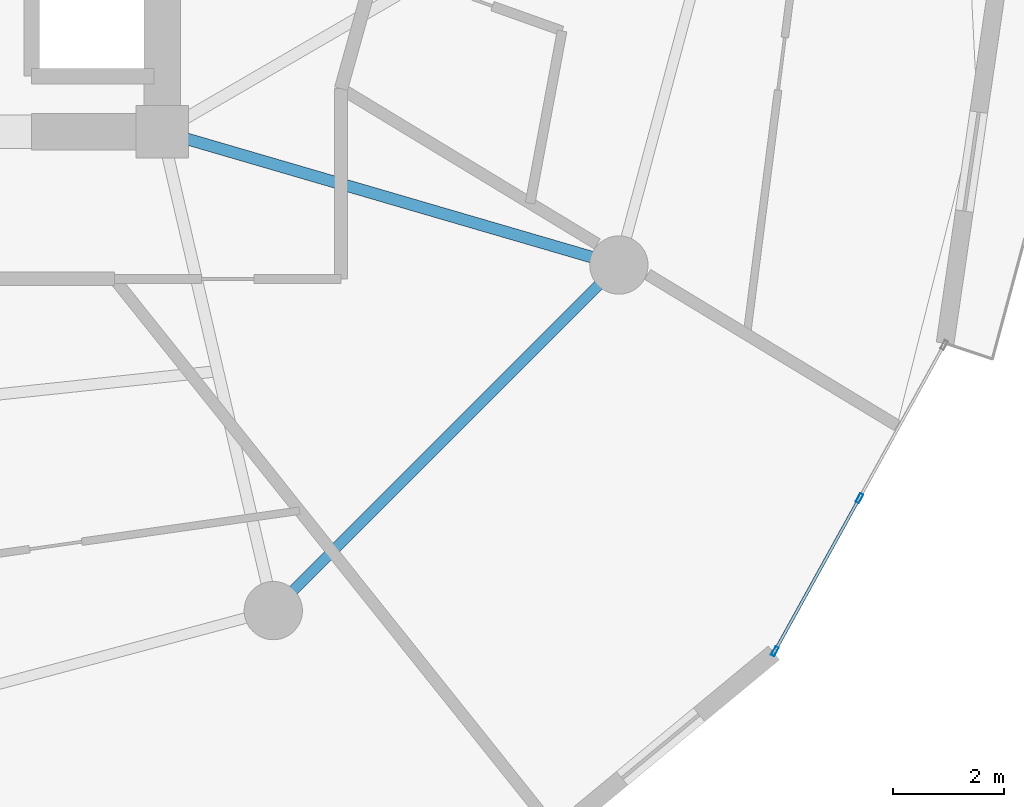
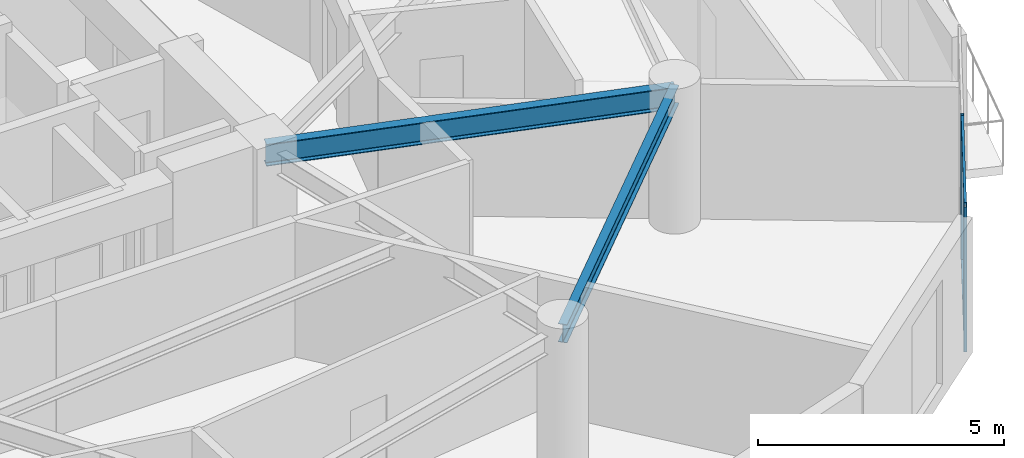
# One storey, part 6 of 21: 4 members, 2 beams, 1 element without a shape of its own.
"""IFC4 building model written with IfcOpenShell, lengths in metres."""

from ifc_helpers import new_model, si_unit, direction, frame, origin, origin_2d, place, context, subcontext, project, spatial, hollow_rectangle, i_section, extrude, source, transform, mapped, material, layer, layer_set, material_profile, profile_set, type_object, element, aggregate, save


model = new_model("IFC4")

# Units and contexts
model_context = context("Model", 3, precision=1e-05, world=origin(), true_north=direction((0.0, 1.0)))
body_context = subcontext(model_context, "Body", "Model", "MODEL_VIEW")
ifc_project = project(units=[si_unit("LENGTHUNIT", "METRE"), si_unit("AREAUNIT", "SQUARE_METRE"), si_unit("VOLUMEUNIT", "CUBIC_METRE"), si_unit("PLANEANGLEUNIT", "RADIAN"), si_unit("MASSUNIT", "GRAM", prefix="KILO")], contexts=[model_context])

# Site, building, storey
site_placement = place(None, origin())
site = spatial("IfcSite", under=ifc_project, at=site_placement, CompositionType="ELEMENT")
building_placement = place(site_placement, origin())
building = spatial("IfcBuilding", under=site, at=building_placement, Name="Solvirekh Grand Hotel", CompositionType="ELEMENT")
storey_placement = place(building_placement, frame((0.0, 0.0, 131.39990234375)))
storey = spatial("IfcBuildingStorey", under=building, at=storey_placement, Name="L33", CompositionType="ELEMENT", Elevation=131.39990234375)

# Beams
ifc_material_1 = material(Name="Steel S355", Category="steel")
ifc_material_profile_1 = material_profile(ifc_material_1, i_section(OverallWidth=0.2119140625, OverallDepth=0.5439453125, WebThickness=0.011962890625, FlangeThickness=0.01904296875, FilletRadius=0.013916015625, at=origin_2d()), Name="W530X123")
ifc_profile_set_1 = profile_set([ifc_material_profile_1], Name="Steel S355")
beam_type_1 = type_object("IfcBeamType", Name="Beam_Radial_W530H", PredefinedType="BEAM", material=ifc_profile_set_1)
beam_1_placement = place(storey_placement, frame((6.5, -6.10009765625, 3.078125), z_axis=(0.959942195467, -0.28019811092, 0.0), x_axis=(0.28019811092, 0.959942195467, 0.0)))
element("IfcBeam", 1, at=beam_1_placement, inside=storey, type_object=beam_type_1, Name="L33 radial floor beam R12", PredefinedType="BEAM", context=body_context, shape_type="SweptSolid", body=[
    extrude(i_section(OverallWidth=0.2119140625, OverallDepth=0.5439453125, WebThickness=0.011962890625, FlangeThickness=0.01904296875, FilletRadius=0.013916015625, at=origin_2d()), origin(), (0.0, 0.0, 1.0), 8.56494140625),
])
ifc_material_profile_2 = material_profile(ifc_material_1, i_section(OverallWidth=0.18994140625, OverallDepth=0.45703125, WebThickness=0.009033203125, FlangeThickness=0.013916015625, FilletRadius=0.012939453125, at=origin_2d()), Name="W460X74")
ifc_profile_set_2 = profile_set([ifc_material_profile_2], Name="Steel S355")
beam_type_2 = type_object("IfcBeamType", Name="Spandrel_Ring_W460", PredefinedType="SPANDREL", material=ifc_profile_set_2)
beam_2_placement = place(storey_placement, frame((8.5, -14.721923828125, 3.1220703125), z_axis=(0.707106781187, 0.707106781187, 0.0), x_axis=(-0.707106781187, 0.707106781187, 0.0)))
element("IfcBeam", 2, at=beam_2_placement, inside=storey, type_object=beam_type_2, Name="L33 perimeter spandrel beam 11", PredefinedType="SPANDREL", context=body_context, shape_type="SweptSolid", body=[
    extrude(i_section(OverallWidth=0.18994140625, OverallDepth=0.45703125, WebThickness=0.009033203125, FlangeThickness=0.013916015625, FilletRadius=0.012939453125, at=origin_2d()), origin(), (0.0, 0.0, 1.0), 8.799072265625),
])

# Curtain wall, members
ifc_material_2 = material(Name="Anodized Bronze Aluminium 6063-T6", Category="aluminium")
ifc_layer = layer(ifc_material_2, 0.175048828125)
ifc_layer_set = layer_set([ifc_layer], Name="Anodized Bronze Aluminium 6063-T6")
curtain_wall_type = type_object("IfcCurtainWallType", Name="CW_Sys3_MidZoneFlushBronzeCW", PredefinedType="NOTDEFINED", material=ifc_layer_set)
curtain_wall_placement = place(storey_placement, origin())
curtain_wall = element("IfcCurtainWall", 3, at=curtain_wall_placement, inside=storey, type_object=curtain_wall_type, Name="L33 unitised bronze-glass curtain wall CW-L33-C01", PredefinedType="NOTDEFINED")
ifc_material_profile_3 = material_profile(ifc_material_2, hollow_rectangle(XDim=0.054931640625, YDim=0.1201171875, WallThickness=0.00390625, at=origin_2d()), Name="ALU RHS 120X55X4")
ifc_profile_set_3 = profile_set([ifc_material_profile_3], Name="Anodized Bronze Aluminium 6063-T6")
member_type_1 = type_object("IfcMemberType", Name="CWTransom_Sys3", PredefinedType="USERDEFINED", material=ifc_profile_set_3)
shared_shape_1 = source(origin(), body_context, "Body", "SweptSolid", [
    extrude(hollow_rectangle(XDim=0.054931640625, YDim=0.1201171875, WallThickness=0.00390625, at=origin_2d()), origin(), (0.0, 0.0, 1.0), 3.087158203125),
])
member_1_placement = place(storey_placement, frame((17.54443359375, -15.427001953125, 0.027587890625), z_axis=(0.483902911654, 0.875121689877, 0.0), x_axis=(-0.875121689877, 0.483902911654, 0.0)))
member_1 = element("IfcMember", 4, at=member_1_placement, type_object=member_type_1, Name="U03 transom 1.1", ObjectType="TRANSOM", PredefinedType="USERDEFINED", context=body_context, shape_type="MappedRepresentation", body=[
    mapped(shared_shape_1, transform((0.0, 0.0, 0.0), x_axis=(1.0, 0.0, 0.0), y_axis=(0.0, 1.0, 0.0), z_axis=(0.0, 0.0, 1.0), scale=1.0)),
])
member_2_placement = place(storey_placement, frame((17.54443359375, -15.427001953125, 3.572509765625), z_axis=(0.483902911654, 0.875121689877, 0.0), x_axis=(-0.875121689877, 0.483902911654, 0.0)))
member_2 = element("IfcMember", 5, at=member_2_placement, type_object=member_type_1, Name="U03 transom 1.2", ObjectType="TRANSOM", PredefinedType="USERDEFINED", context=body_context, shape_type="MappedRepresentation", body=[
    mapped(shared_shape_1, transform((0.0, 0.0, 0.0), x_axis=(1.0, 0.0, 0.0), y_axis=(0.0, 1.0, 0.0), z_axis=(0.0, 0.0, 1.0), scale=1.0)),
])
ifc_material_profile_4 = material_profile(ifc_material_2, hollow_rectangle(XDim=0.06494140625, YDim=0.175048828125, WallThickness=0.0048828125, at=origin_2d()), Name="ALU RHS 175X65X5")
ifc_profile_set_4 = profile_set([ifc_material_profile_4], Name="Anodized Bronze Aluminium 6063-T6")
member_type_2 = type_object("IfcMemberType", Name="CWMullion_Sys3", PredefinedType="MULLION", material=ifc_profile_set_4)
shared_shape_2 = source(origin(), body_context, "Body", "SweptSolid", [
    extrude(hollow_rectangle(XDim=0.06494140625, YDim=0.175048828125, WallThickness=0.0048828125, at=origin_2d()), origin(), (0.0, 0.0, 1.0), 3.60009765625),
])
member_3_placement = place(storey_placement, frame((17.52880859375, -15.45556640625, 0.0), z_axis=(0.0, 0.0, 1.0), x_axis=(-0.875133069134, 0.48388233209, 0.0)))
member_3 = element("IfcMember", 6, at=member_3_placement, type_object=member_type_2, Name="U03 mullion 1", PredefinedType="MULLION", context=body_context, shape_type="MappedRepresentation", body=[
    mapped(shared_shape_2, transform((0.0, 0.0, 0.0), x_axis=(1.0, 0.0, 0.0), y_axis=(0.0, 1.0, 0.0), z_axis=(0.0, 0.0, 1.0), scale=1.0)),
])
member_4_placement = place(storey_placement, frame((19.053955078125, -12.697021484375, 0.0), z_axis=(0.0, 0.0, 1.0), x_axis=(-0.875133069134, 0.48388233209, 0.0)))
member_4 = element("IfcMember", 7, at=member_4_placement, type_object=member_type_2, Name="U03 mullion 2", PredefinedType="MULLION", context=body_context, shape_type="MappedRepresentation", body=[
    mapped(shared_shape_2, transform((0.0, 0.0, 0.0), x_axis=(1.0, 0.0, 0.0), y_axis=(0.0, 1.0, 0.0), z_axis=(0.0, 0.0, 1.0), scale=1.0)),
])
aggregate(curtain_wall, [member_3, member_4, member_1, member_2])

save(model, "model.ifc")
